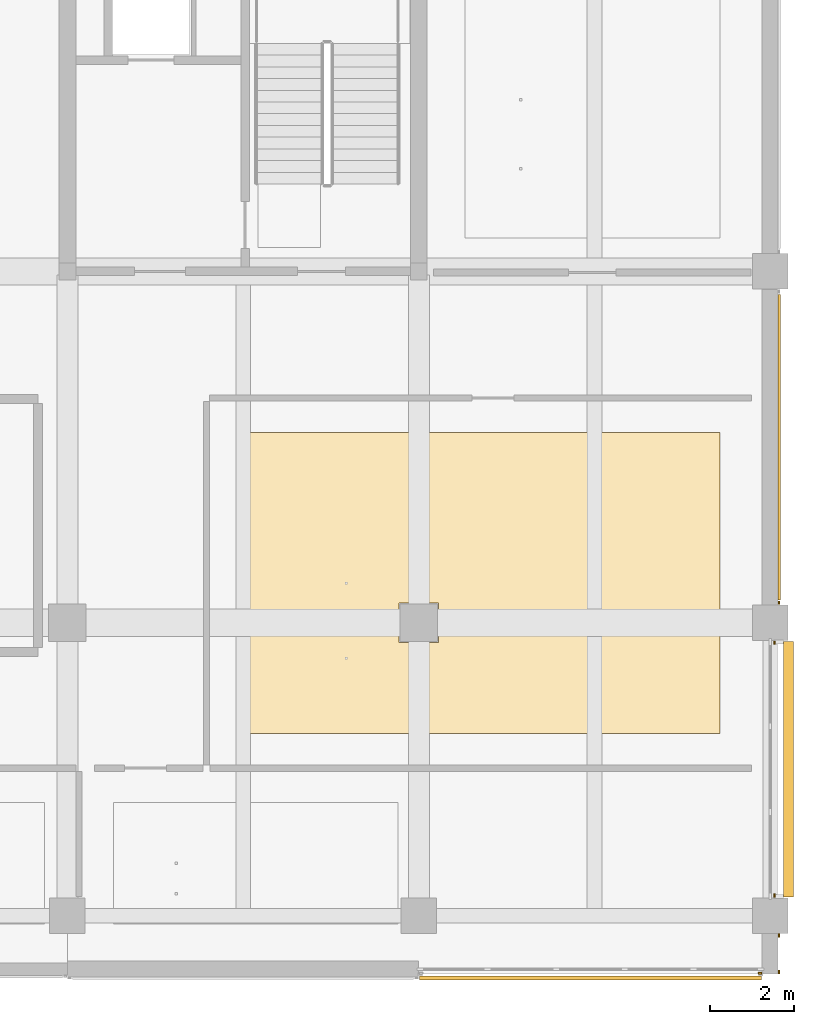
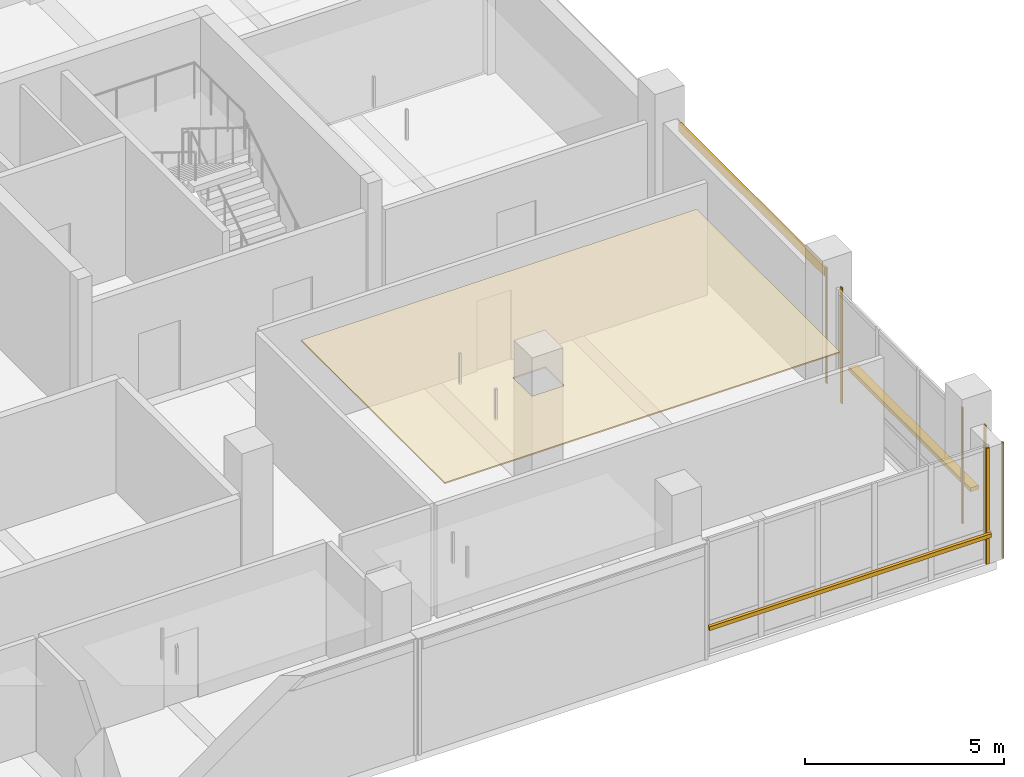
# One storey, part 29 of 36: 8 coverings, 2 shading devices.
"""IFC4 building model written with IfcOpenShell, lengths in metres."""

from ifc_helpers import new_model, si_unit, direction, frame, origin, origin_2d, place, context, subcontext, project, spatial, polyline, rectangle, outline, extrude, material, layer, layer_set, type_object, element, save


model = new_model("IFC4")

# Units and contexts
model_context = context("Model", 3, precision=1e-05, world=origin(), true_north=direction((0.0, 1.0)))
body_context = subcontext(model_context, "Body", "Model", "MODEL_VIEW")
ifc_project = project(units=[si_unit("LENGTHUNIT", "METRE"), si_unit("AREAUNIT", "SQUARE_METRE"), si_unit("VOLUMEUNIT", "CUBIC_METRE"), si_unit("PLANEANGLEUNIT", "RADIAN"), si_unit("MASSUNIT", "GRAM", prefix="KILO")], contexts=[model_context])

# Site, building, storey
site_placement = place(None, origin())
site = spatial("IfcSite", under=ifc_project, at=site_placement, CompositionType="ELEMENT")
building_placement = place(site_placement, origin())
building = spatial("IfcBuilding", under=site, at=building_placement, Name="Telukmera Botanical Conservatory", CompositionType="ELEMENT")
storey_placement = place(building_placement, frame((0.0, 0.0, 24.0)))
storey = spatial("IfcBuildingStorey", under=building, at=storey_placement, Name="L05", CompositionType="ELEMENT", Elevation=24.0)

# Coverings
ifc_material_1 = material(Name="Perforated gypsum acoustic ceiling")
ifc_layer_1 = layer(ifc_material_1, 0.0400390625)
ifc_layer_set_1 = layer_set([ifc_layer_1], Name="Perforated gypsum acoustic ceiling")
covering_type_1 = type_object("IfcCoveringType", Name="COV-CEIL-40", PredefinedType="CEILING", material=ifc_layer_set_1)
covering_1_placement = place(storey_placement, frame((0.0, 0.0, 3.31005859375)))
element("IfcCovering", 1, at=covering_1_placement, inside=storey, type_object=covering_type_1, Name="L05 East Herbarium Curation Studio Suspended Acoustic Ceiling", PredefinedType="CEILING", context=body_context, shape_type="SweptSolid", body=[
    extrude(outline(polyline([(96.550048828125, 14.949951171875), (108.0, 14.949951171875), (108.0, 22.14990234375), (96.550048828125, 22.14990234375), (96.550048828125, 14.949951171875)]), holes=[polyline([(100.330078125, 17.1298828125), (101.27001953125, 17.1298828125), (101.27001953125, 18.070068359375), (100.330078125, 18.070068359375), (100.330078125, 17.1298828125)])]), origin(), (0.0, 0.0, 1.0), 0.0400390625),
])
ifc_material_2 = material(Name="Granite-faced precast concrete C40/50", Category="masonry")
ifc_layer_2 = layer(ifc_material_2, 0.0400390625)
ifc_layer_set_2 = layer_set([ifc_layer_2], Name="Granite-faced precast concrete C40/50")
covering_type_2 = type_object("IfcCoveringType", Name="Granite Precast Column Pier Reveal Casing", PredefinedType="CLADDING", material=ifc_layer_set_2)
for number, where, z_axis, x_axis, name in (
    (2, (109.409912109375, 9.25, 0.0), (0.0, 0.0, 1.0), (0.0, 1.0, 0.0), "Granite Pier Reveal V4:L05:SEC L"),
    (3, (109.409912109375, 10.123046875, 0.0), (0.0, 0.0, 1.0), (0.0, 1.0, 0.0), "Granite Pier Reveal V4:L05:SEC R"),
    (4, (108.9580078125, 9.219970703125, 0.0), (0.0, 0.0, 1.0), (1.0, 0.0, 0.0), "Granite Pier Reveal V4:L05:S7 R"),
    (5, (109.300048828125, 11.076904296875, 0.0), (0.0, 0.0, 1.0), (0.0, 1.0, 0.0), "Granite Pier Reveal V4:L05:E1 L"),
    (6, (109.300048828125, 17.123046875, 0.0), (0.0, 0.0, 1.0), (0.0, 1.0, 0.0), "Granite Pier Reveal V4:L05:E1 R"),
    (7, (109.409912109375, 18.076904296875, 0.0), (0.0, 0.0, 1.0), (0.0, 1.0, 0.0), "Granite Pier Reveal V4:L05:E2 L"),
):
    element("IfcCovering", number, at=place(storey_placement, frame(where, z_axis=z_axis, x_axis=x_axis)), inside=storey, type_object=covering_type_2, Name=name, PredefinedType="CLADDING", context=body_context, shape_type="SweptSolid", body=[
        extrude(rectangle(XDim=0.080078125, YDim=0.0400390625, at=origin_2d()), origin(), (0.0, 0.0, 1.0), 3.550048828125),
    ])

# Shading devices
ifc_material_3 = material(Name="Perforated terracotta-anodised aluminium 6063-T6", Category="masonry")
ifc_layer_3 = layer(ifc_material_3, 0.044921875)
ifc_layer_set_3 = layer_set([ifc_layer_3], Name="Perforated terracotta-anodised aluminium 6063-T6")
shading_device_type = type_object("IfcShadingDeviceType", Name="Perforated Terracotta Aluminium Monsoon Brise Soleil", PredefinedType="JALOUSIE", material=ifc_layer_set_3)
shading_device_1_placement = place(storey_placement, frame((104.905029296875, 9.10498046875, 0.889892578125), z_axis=(0.0, 0.0, 1.0), x_axis=(1.0, 0.0, 0.0)))
element("IfcShadingDevice", 8, at=shading_device_1_placement, inside=storey, type_object=shading_device_type, Name="Monsoon Shading BS01 V4:L05:S7", PredefinedType="JALOUSIE", context=body_context, shape_type="SweptSolid", body=[
    extrude(rectangle(XDim=8.166015625, YDim=0.090087890625, at=origin_2d()), origin(), (0.0, 0.0, 1.0), 0.1201171875),
])
shading_device_2_placement = place(storey_placement, frame((109.639892578125, 14.10009765625, 0.889892578125), z_axis=(0.0, 0.0, 1.0), x_axis=(0.0, 1.0, 0.0)))
element("IfcShadingDevice", 9, at=shading_device_2_placement, inside=storey, type_object=shading_device_type, Name="Monsoon Shading BS01 V4:L05:E1", PredefinedType="JALOUSIE", context=body_context, shape_type="SweptSolid", body=[
    extrude(rectangle(XDim=6.10595703125, YDim=0.239990234375, at=origin_2d()), origin(), (0.0, 0.0, 1.0), 0.1201171875),
])

# Covering
ifc_material_4 = material(Name="Terracotta-faced precast concrete C40/50", Category="masonry")
ifc_layer_4 = layer(ifc_material_4, 0.06005859375)
ifc_layer_set_4 = layer_set([ifc_layer_4], Name="Terracotta-faced precast concrete C40/50")
covering_type_3 = type_object("IfcCoveringType", Name="Polychrome Terracotta Facade Band Cladding", PredefinedType="CLADDING", material=ifc_layer_set_4)
covering_2_placement = place(storey_placement, frame((109.419921875, 21.800048828125, 3.22998046875), z_axis=(0.0, 0.0, 1.0), x_axis=(0.0, 1.0, 0.0)))
element("IfcCovering", 10, at=covering_2_placement, inside=storey, type_object=covering_type_3, Name="Polychrome Terracotta Band V4:L05:E2", PredefinedType="CLADDING", context=body_context, shape_type="SweptSolid", body=[
    extrude(rectangle(XDim=7.305908203125, YDim=0.06005859375, at=origin_2d()), origin(), (0.0, 0.0, 1.0), 0.280029296875),
])

save(model, "model.ifc")
